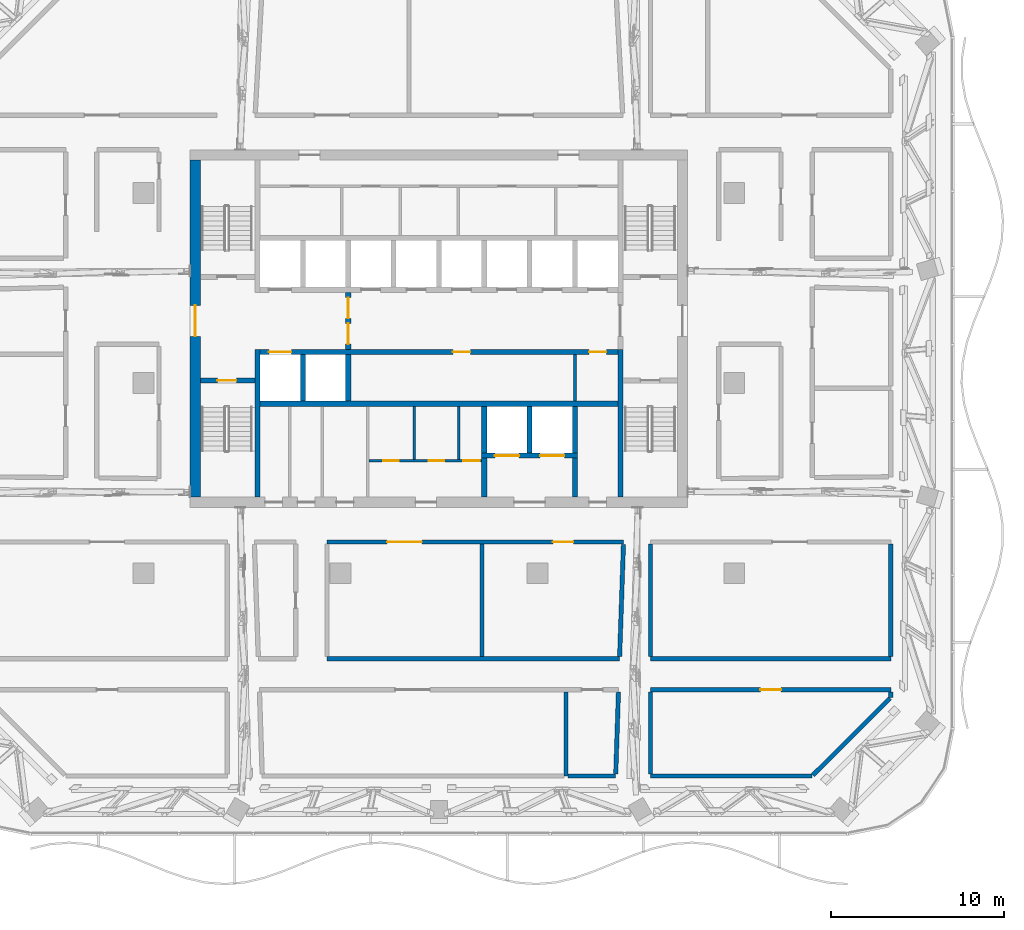
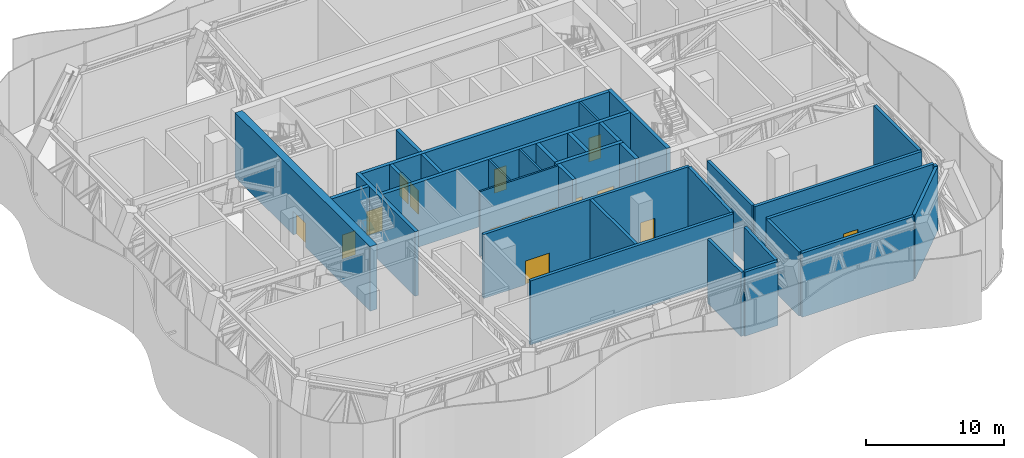
# One storey, part 11 of 29: 34 walls, 15 doors, 15 openings.
"""IFC4 building model written with IfcOpenShell, lengths in metres."""

from ifc_helpers import new_model, si_unit, direction, frame, frame_2d, origin, place, context, subcontext, project, spatial, rectangle, extrude, material, layer, layer_set, type_object, element, fill, save


model = new_model("IFC4")

# Units and contexts
model_context = context("Model", 3, precision=1e-05, world=origin(), true_north=direction((0.0, 1.0)))
body_context = subcontext(model_context, "Body", "Model", "MODEL_VIEW")
ifc_project = project(units=[si_unit("LENGTHUNIT", "METRE"), si_unit("AREAUNIT", "SQUARE_METRE"), si_unit("VOLUMEUNIT", "CUBIC_METRE"), si_unit("PLANEANGLEUNIT", "RADIAN"), si_unit("MASSUNIT", "GRAM", prefix="KILO")], contexts=[model_context])

# Site, building, storey
site_placement = place(None, origin())
site = spatial("IfcSite", under=ifc_project, at=site_placement, CompositionType="ELEMENT")
building_placement = place(site_placement, origin())
building = spatial("IfcBuilding", under=site, at=building_placement, Name="Mopane Tessera Tower", CompositionType="ELEMENT")
storey_placement = place(building_placement, frame((0.0, 0.0, 315.39990234375)))
storey = spatial("IfcBuildingStorey", under=building, at=storey_placement, Name="L69", CompositionType="ELEMENT", Elevation=315.39990234375)

# Wall, openings, doors
ifc_material_1 = material(Name="Fire-rated gypsum board partition")
ifc_layer_1 = layer(ifc_material_1, 0.14990234375)
ifc_layer_set_1 = layer_set([ifc_layer_1], Name="Fire-rated gypsum board partition")
wall_type_1 = type_object("IfcWallType", Name="Core room partition 150 mm", PredefinedType="PARTITIONING", material=ifc_layer_set_1)
wall_1_placement = place(storey_placement, frame((-4.050048828125, -4.5, 0.0), z_axis=(0.0, 0.0, 1.0), x_axis=(1.0, 0.0, 0.0)))
wall_1 = element("IfcWall", 1, at=wall_1_placement, inside=storey, type_object=wall_type_1, Name="L69 WC partition", PredefinedType="PARTITIONING", context=body_context, shape_type="SweptSolid", body=[
    extrude(rectangle(XDim=6.525146484375, YDim=0.14990234375, at=frame_2d((3.2626953125, 0.0))), origin(), (0.0, 0.0, 1.0), 5.7001953125),
])
opening_1_placement = place(wall_1_placement, frame((0.824951171875, 0.0, 0.0)))
opening_1 = element("IfcOpeningElement", 2, at=opening_1_placement, cuts=wall_1, Name="Opening WD1", PredefinedType="OPENING", context=body_context, shape_type="SweptSolid", body=[
    extrude(rectangle(XDim=0.89990234375, YDim=2.10009765625, at=frame_2d((0.449951171875, 1.050048828125))), frame((0.0, 0.0869140625, 0.0), z_axis=(0.0, -1.0, 0.0), x_axis=(1.0, 0.0, 0.0)), (0.0, 0.0, 1.0), 0.173828125),
])
opening_2_placement = place(wall_1_placement, frame((3.45751953125, 0.0, 0.0)))
opening_2 = element("IfcOpeningElement", 3, at=opening_2_placement, cuts=wall_1, Name="Opening WD1", PredefinedType="OPENING", context=body_context, shape_type="SweptSolid", body=[
    extrude(rectangle(XDim=0.89990234375, YDim=2.10009765625, at=frame_2d((0.449951171875, 1.050048828125))), frame((0.0, 0.0869140625, 0.0), z_axis=(0.0, -1.0, 0.0), x_axis=(1.0, 0.0, 0.0)), (0.0, 0.0, 1.0), 0.173828125),
])
opening_3_placement = place(wall_1_placement, frame((5.45751953125, 0.0, 0.0)))
opening_3 = element("IfcOpeningElement", 4, at=opening_3_placement, cuts=wall_1, Name="Opening WD2", PredefinedType="OPENING", context=body_context, shape_type="SweptSolid", body=[
    extrude(rectangle(XDim=0.949951171875, YDim=2.10009765625, at=frame_2d((0.47509765625, 1.050048828125))), frame((0.0, 0.0869140625, 0.0), z_axis=(0.0, -1.0, 0.0), x_axis=(1.0, 0.0, 0.0)), (0.0, 0.0, 1.0), 0.173828125),
])
ifc_material_2 = material(Name="Timber door", Category="wood")
door_type_1 = type_object("IfcDoorType", Name="Accessible WC door 950 x 2100", OperationType="SINGLE_SWING_LEFT", PredefinedType="DOOR", material=ifc_material_2)
door_1_placement = place(opening_3_placement, origin())
door_1 = element("IfcDoor", 5, at=door_1_placement, inside=storey, type_object=door_type_1, Name="L69 Accessible WC door", OperationType="SINGLE_SWING_LEFT", OverallHeight=2.10009765625, OverallWidth=0.949951171875, PredefinedType="DOOR", context=body_context, shape_type="SweptSolid", body=[
    extrude(rectangle(XDim=0.949951171875, YDim=2.10009765625, at=frame_2d((0.47509765625, 1.050048828125))), frame((0.0, 0.02490234375, 0.0), z_axis=(0.0, -1.0, 0.0), x_axis=(1.0, 0.0, 0.0)), (0.0, 0.0, 1.0), 0.050048828125),
])
fill(opening_3, door_1)
ifc_material_3 = material(Name="Timber door", Category="wood")
door_type_2 = type_object("IfcDoorType", Name="WC cubicle door 900 x 2100", OperationType="SINGLE_SWING_LEFT", PredefinedType="DOOR", material=ifc_material_3)
door_2_placement = place(opening_1_placement, origin())
door_2 = element("IfcDoor", 6, at=door_2_placement, inside=storey, type_object=door_type_2, Name="L69 Men's WC door", OperationType="SINGLE_SWING_LEFT", OverallHeight=2.10009765625, OverallWidth=0.89990234375, PredefinedType="DOOR", context=body_context, shape_type="SweptSolid", body=[
    extrude(rectangle(XDim=0.89990234375, YDim=2.10009765625, at=frame_2d((0.449951171875, 1.050048828125))), frame((0.0, 0.02490234375, 0.0), z_axis=(0.0, -1.0, 0.0), x_axis=(1.0, 0.0, 0.0)), (0.0, 0.0, 1.0), 0.050048828125),
])
fill(opening_1, door_2)
door_3_placement = place(opening_2_placement, origin())
door_3 = element("IfcDoor", 7, at=door_3_placement, inside=storey, type_object=door_type_2, Name="L69 Women's WC door", OperationType="SINGLE_SWING_LEFT", OverallHeight=2.10009765625, OverallWidth=0.89990234375, PredefinedType="DOOR", context=body_context, shape_type="SweptSolid", body=[
    extrude(rectangle(XDim=0.89990234375, YDim=2.10009765625, at=frame_2d((0.449951171875, 1.050048828125))), frame((0.0, 0.02490234375, 0.0), z_axis=(0.0, -1.0, 0.0), x_axis=(1.0, 0.0, 0.0)), (0.0, 0.0, 1.0), 0.050048828125),
])
fill(opening_2, door_3)

# Walls
for number, where, z_axis, x_axis, name in (
    (8, (-1.425048828125, -4.425048828125, 0.0), (0.0, 0.0, 1.0), (0.0, 1.0, 0.0), "L69 WC partition"),
    (9, (1.139892578125, -4.425048828125, 0.0), (0.0, 0.0, 1.0), (0.0, 1.0, 0.0), "L69 WC partition"),
):
    element("IfcWall", number, at=place(storey_placement, frame(where, z_axis=z_axis, x_axis=x_axis)), inside=storey, type_object=wall_type_1, Name=name, PredefinedType="PARTITIONING", context=body_context, shape_type="SweptSolid", body=[
        extrude(rectangle(XDim=3.074951171875, YDim=0.14990234375, at=frame_2d((1.53759765625, 0.0))), origin(), (0.0, 0.0, 1.0), 5.7001953125),
    ])
wall_2_placement = place(storey_placement, frame((7.875, -1.050048828125, 0.0), z_axis=(0.0, 0.0, 1.0), x_axis=(0.0, 1.0, 0.0)))
element("IfcWall", 10, at=wall_2_placement, inside=storey, type_object=wall_type_1, Name="L69 Room partition", PredefinedType="PARTITIONING", context=body_context, shape_type="SweptSolid", body=[
    extrude(rectangle(XDim=2.699951171875, YDim=0.14990234375, at=frame_2d((1.35009765625, 0.0))), origin(), (0.0, 0.0, 1.0), 5.7001953125),
])

# Wall, opening, door
ifc_material_4 = material(Name="Concrete C70/85", Category="concrete")
ifc_layer_2 = layer(ifc_material_4, 0.60009765625)
ifc_layer_set_2 = layer_set([ifc_layer_2], Name="Concrete C70/85")
wall_type_2 = type_object("IfcWallType", Name="Core shear wall 600 mm", PredefinedType="SHEAR", material=ifc_layer_set_2)
wall_3_placement = place(storey_placement, frame((-14.10009765625, -6.60009765625, 0.0), z_axis=(0.0, 0.0, 1.0), x_axis=(0.0, 1.0, 0.0)))
wall_3 = element("IfcWall", 11, at=wall_3_placement, inside=storey, type_object=wall_type_2, Name="L69 Core wall west", PredefinedType="SHEAR", context=body_context, shape_type="SweptSolid", body=[
    extrude(rectangle(XDim=19.5, YDim=0.60009765625, at=frame_2d((9.75, 0.0))), origin(), (0.0, 0.0, 1.0), 5.7001953125),
])
opening_4_placement = place(wall_3_placement, frame((9.300048828125, 0.0, 0.0)))
opening_4 = element("IfcOpeningElement", 12, at=opening_4_placement, cuts=wall_3, Name="Opening SD2", PredefinedType="OPENING", context=body_context, shape_type="SweptSolid", body=[
    extrude(rectangle(XDim=1.800048828125, YDim=2.10009765625, at=frame_2d((0.89990234375, 1.050048828125))), frame((0.0, 0.31201171875, 0.0), z_axis=(0.0, -1.0, 0.0), x_axis=(1.0, 0.0, 0.0)), (0.0, 0.0, 1.0), 0.6240234375),
])
ifc_material_5 = material(Name="Steel fire door", Category="steel")
door_type_3 = type_object("IfcDoorType", Name="Core entrance double door 1800 x 2100", OperationType="DOUBLE_DOOR_SINGLE_SWING", PredefinedType="DOOR", material=ifc_material_5)
door_4_placement = place(opening_4_placement, origin())
door_4 = element("IfcDoor", 13, at=door_4_placement, inside=storey, type_object=door_type_3, Name="L69 Core entrance door west", OperationType="DOUBLE_DOOR_SINGLE_SWING", OverallHeight=2.10009765625, OverallWidth=1.800048828125, PredefinedType="DOOR", context=body_context, shape_type="SweptSolid", body=[
    extrude(rectangle(XDim=1.800048828125, YDim=2.10009765625, at=frame_2d((0.89990234375, 1.050048828125))), frame((0.0, 0.02490234375, 0.0), z_axis=(0.0, -1.0, 0.0), x_axis=(1.0, 0.0, 0.0)), (0.0, 0.0, 1.0), 0.050048828125),
])
fill(opening_4, door_4)

# Walls
ifc_material_6 = material(Name="Concrete C60/75", Category="concrete")
ifc_layer_3 = layer(ifc_material_6, 0.300048828125)
ifc_layer_set_3 = layer_set([ifc_layer_3], Name="Concrete C60/75")
wall_type_3 = type_object("IfcWallType", Name="Core spine wall 300 mm", PredefinedType="SHEAR", material=ifc_layer_set_3)
for number, where, z_axis, x_axis, name in (
    (14, (-10.5, -6.60009765625, 0.0), (0.0, 0.0, 1.0), (0.0, 1.0, 0.0), "L69 Core spine wall"),
    (15, (10.5, -6.60009765625, 0.0), (0.0, 0.0, 1.0), (0.0, 1.0, 0.0), "L69 Core spine wall"),
):
    element("IfcWall", number, at=place(storey_placement, frame(where, z_axis=z_axis, x_axis=x_axis)), inside=storey, type_object=wall_type_3, Name=name, PredefinedType="SHEAR", context=body_context, shape_type="SweptSolid", body=[
        extrude(rectangle(XDim=8.550048828125, YDim=0.300048828125, at=frame_2d((4.27490234375, 0.0))), origin(), (0.0, 0.0, 1.0), 5.7001953125),
    ])

# Wall, opening, door
ifc_material_7 = material(Name="Concrete C50/60", Category="concrete")
ifc_layer_4 = layer(ifc_material_7, 0.300048828125)
ifc_layer_set_4 = layer_set([ifc_layer_4], Name="Concrete C50/60")
wall_type_4 = type_object("IfcWallType", Name="Lift and stair shaft wall 300 mm", PredefinedType="SOLIDWALL", material=ifc_layer_set_4)
wall_4_placement = place(storey_placement, frame((-13.800048828125, 0.14990234375, 0.0), z_axis=(0.0, 0.0, 1.0), x_axis=(1.0, 0.0, 0.0)))
wall_4 = element("IfcWall", 16, at=wall_4_placement, inside=storey, type_object=wall_type_4, Name="L69 Stair enclosure wall", PredefinedType="SOLIDWALL", context=body_context, shape_type="SweptSolid", body=[
    extrude(rectangle(XDim=3.150146484375, YDim=0.300048828125, at=frame_2d((1.5751953125, 0.0))), origin(), (0.0, 0.0, 1.0), 5.7001953125),
])
opening_5_placement = place(wall_4_placement, frame((0.97509765625, 0.0, 0.0)))
opening_5 = element("IfcOpeningElement", 17, at=opening_5_placement, cuts=wall_4, Name="Opening SD1", PredefinedType="OPENING", context=body_context, shape_type="SweptSolid", body=[
    extrude(rectangle(XDim=1.10009765625, YDim=2.10009765625, at=frame_2d((0.550048828125, 1.050048828125))), frame((0.0, 0.162109375, 0.0), z_axis=(0.0, -1.0, 0.0), x_axis=(1.0, 0.0, 0.0)), (0.0, 0.0, 1.0), 0.323974609375),
])
ifc_material_8 = material(Name="Steel fire door", Category="steel")
door_type_4 = type_object("IfcDoorType", Name="Stair fire door 1100 x 2100", OperationType="SINGLE_SWING_LEFT", PredefinedType="DOOR", material=ifc_material_8)
door_5_placement = place(opening_5_placement, origin())
door_5 = element("IfcDoor", 18, at=door_5_placement, inside=storey, type_object=door_type_4, Name="L69 Stair door ST1", OperationType="SINGLE_SWING_LEFT", OverallHeight=2.10009765625, OverallWidth=1.10009765625, PredefinedType="DOOR", context=body_context, shape_type="SweptSolid", body=[
    extrude(rectangle(XDim=1.10009765625, YDim=2.10009765625, at=frame_2d((0.550048828125, 1.050048828125))), frame((0.0, 0.02490234375, 0.0), z_axis=(0.0, -1.0, 0.0), x_axis=(1.0, 0.0, 0.0)), (0.0, 0.0, 1.0), 0.050048828125),
])
fill(opening_5, door_5)

# Wall
wall_5_placement = place(storey_placement, frame((-10.35009765625, -1.199951171875, 0.0), z_axis=(0.0, 0.0, 1.0), x_axis=(1.0, 0.0, 0.0)))
element("IfcWall", 19, at=wall_5_placement, inside=storey, type_object=wall_type_4, Name="L69 Lift shaft rear wall", PredefinedType="SOLIDWALL", context=body_context, shape_type="SweptSolid", body=[
    extrude(rectangle(XDim=20.7001953125, YDim=0.300048828125, at=frame_2d((10.35009765625, 0.0))), origin(), (0.0, 0.0, 1.0), 5.7001953125),
])

# Wall, openings, doors
wall_6_placement = place(storey_placement, frame((-10.35009765625, 1.800048828125, 0.0), z_axis=(0.0, 0.0, 1.0), x_axis=(1.0, 0.0, 0.0)))
wall_6 = element("IfcWall", 20, at=wall_6_placement, inside=storey, type_object=wall_type_4, Name="L69 Lift shaft front wall", PredefinedType="SOLIDWALL", context=body_context, shape_type="SweptSolid", body=[
    extrude(rectangle(XDim=20.7001953125, YDim=0.300048828125, at=frame_2d((10.35009765625, 0.0))), origin(), (0.0, 0.0, 1.0), 5.7001953125),
])
opening_6_placement = place(wall_6_placement, frame((0.512451171875, 0.0, 0.0)))
opening_6 = element("IfcOpeningElement", 21, at=opening_6_placement, cuts=wall_6, Name="Opening LD2", PredefinedType="OPENING", context=body_context, shape_type="SweptSolid", body=[
    extrude(rectangle(XDim=1.300048828125, YDim=2.10009765625, at=frame_2d((0.64990234375, 1.050048828125))), frame((0.0, 0.162109375, 0.0), z_axis=(0.0, -1.0, 0.0), x_axis=(1.0, 0.0, 0.0)), (0.0, 0.0, 1.0), 0.323974609375),
])
opening_7_placement = place(wall_6_placement, frame((11.16259765625, 0.0, 0.0)))
opening_7 = element("IfcOpeningElement", 22, at=opening_7_placement, cuts=wall_6, Name="Opening RD1", PredefinedType="OPENING", context=body_context, shape_type="SweptSolid", body=[
    extrude(rectangle(XDim=1.0, YDim=2.10009765625, at=frame_2d((0.5, 1.050048828125))), frame((0.0, 0.162109375, 0.0), z_axis=(0.0, -1.0, 0.0), x_axis=(1.0, 0.0, 0.0)), (0.0, 0.0, 1.0), 0.323974609375),
])
opening_8_placement = place(wall_6_placement, frame((19.03759765625, 0.0, 0.0)))
opening_8 = element("IfcOpeningElement", 23, at=opening_8_placement, cuts=wall_6, Name="Opening RD1", PredefinedType="OPENING", context=body_context, shape_type="SweptSolid", body=[
    extrude(rectangle(XDim=1.0, YDim=2.10009765625, at=frame_2d((0.5, 1.050048828125))), frame((0.0, 0.162109375, 0.0), z_axis=(0.0, -1.0, 0.0), x_axis=(1.0, 0.0, 0.0)), (0.0, 0.0, 1.0), 0.323974609375),
])
ifc_material_9 = material(Name="Timber door", Category="wood")
door_type_5 = type_object("IfcDoorType", Name="Core room door 1000 x 2100", OperationType="SINGLE_SWING_LEFT", PredefinedType="DOOR", material=ifc_material_9)
door_6_placement = place(opening_7_placement, origin())
door_6 = element("IfcDoor", 24, at=door_6_placement, inside=storey, type_object=door_type_5, Name="L69 Room door", OperationType="SINGLE_SWING_LEFT", OverallHeight=2.10009765625, OverallWidth=1.0, PredefinedType="DOOR", context=body_context, shape_type="SweptSolid", body=[
    extrude(rectangle(XDim=1.0, YDim=2.10009765625, at=frame_2d((0.5, 1.050048828125))), frame((0.0, 0.02490234375, 0.0), z_axis=(0.0, -1.0, 0.0), x_axis=(1.0, 0.0, 0.0)), (0.0, 0.0, 1.0), 0.050048828125),
])
fill(opening_7, door_6)
door_7_placement = place(opening_8_placement, origin())
door_7 = element("IfcDoor", 25, at=door_7_placement, inside=storey, type_object=door_type_5, Name="L69 Room door", OperationType="SINGLE_SWING_LEFT", OverallHeight=2.10009765625, OverallWidth=1.0, PredefinedType="DOOR", context=body_context, shape_type="SweptSolid", body=[
    extrude(rectangle(XDim=1.0, YDim=2.10009765625, at=frame_2d((0.5, 1.050048828125))), frame((0.0, 0.02490234375, 0.0), z_axis=(0.0, -1.0, 0.0), x_axis=(1.0, 0.0, 0.0)), (0.0, 0.0, 1.0), 0.050048828125),
])
fill(opening_8, door_7)
ifc_material_10 = material(Name="Stainless steel sliding door", Category="steel")
door_type_6 = type_object("IfcDoorType", Name="Fire-fighting lift landing door 1300 x 2100", OperationType="DOUBLE_DOOR_SLIDING", PredefinedType="DOOR", material=ifc_material_10)
door_8_placement = place(opening_6_placement, origin())
door_8 = element("IfcDoor", 26, at=door_8_placement, inside=storey, type_object=door_type_6, Name="L69 Lift landing door FF1", OperationType="DOUBLE_DOOR_SLIDING", OverallHeight=2.10009765625, OverallWidth=1.300048828125, PredefinedType="DOOR", context=body_context, shape_type="SweptSolid", body=[
    extrude(rectangle(XDim=1.300048828125, YDim=2.10009765625, at=frame_2d((0.64990234375, 1.050048828125))), frame((0.0, 0.02490234375, 0.0), z_axis=(0.0, -1.0, 0.0), x_axis=(1.0, 0.0, 0.0)), (0.0, 0.0, 1.0), 0.050048828125),
])
fill(opening_6, door_8)

# Walls
for number, where, z_axis, x_axis, name in (
    (27, (-7.875, -1.050048828125, 0.0), (0.0, 0.0, 1.0), (0.0, 1.0, 0.0), "L69 Lift shaft wall"),
    (28, (-5.25, -1.050048828125, 0.0), (0.0, 0.0, 1.0), (0.0, 1.0, 0.0), "L69 Lift shaft wall"),
):
    element("IfcWall", number, at=place(storey_placement, frame(where, z_axis=z_axis, x_axis=x_axis)), inside=storey, type_object=wall_type_4, Name=name, PredefinedType="SOLIDWALL", context=body_context, shape_type="SweptSolid", body=[
        extrude(rectangle(XDim=2.699951171875, YDim=0.300048828125, at=frame_2d((1.35009765625, 0.0))), origin(), (0.0, 0.0, 1.0), 5.7001953125),
    ])

# Wall, openings, doors
wall_7_placement = place(storey_placement, frame((2.47509765625, -4.199951171875, 0.0), z_axis=(0.0, 0.0, 1.0), x_axis=(1.0, 0.0, 0.0)))
wall_7 = element("IfcWall", 29, at=wall_7_placement, inside=storey, type_object=wall_type_4, Name="L69 Lift shaft front wall", PredefinedType="SOLIDWALL", context=body_context, shape_type="SweptSolid", body=[
    extrude(rectangle(XDim=5.5498046875, YDim=0.300048828125, at=frame_2d((2.77490234375, 0.0))), origin(), (0.0, 0.0, 1.0), 5.7001953125),
])
opening_9_placement = place(wall_7_placement, frame((0.762451171875, 0.0, 0.0)))
opening_9 = element("IfcOpeningElement", 30, at=opening_9_placement, cuts=wall_7, Name="Opening LD3", PredefinedType="OPENING", context=body_context, shape_type="SweptSolid", body=[
    extrude(rectangle(XDim=1.39990234375, YDim=2.10009765625, at=frame_2d((0.699951171875, 1.050048828125))), frame((0.0, 0.162109375, 0.0), z_axis=(0.0, -1.0, 0.0), x_axis=(1.0, 0.0, 0.0)), (0.0, 0.0, 1.0), 0.323974609375),
])
opening_10_placement = place(wall_7_placement, frame((3.387451171875, 0.0, 0.0)))
opening_10 = element("IfcOpeningElement", 31, at=opening_10_placement, cuts=wall_7, Name="Opening LD3", PredefinedType="OPENING", context=body_context, shape_type="SweptSolid", body=[
    extrude(rectangle(XDim=1.39990234375, YDim=2.10009765625, at=frame_2d((0.699951171875, 1.050048828125))), frame((0.0, 0.162109375, 0.0), z_axis=(0.0, -1.0, 0.0), x_axis=(1.0, 0.0, 0.0)), (0.0, 0.0, 1.0), 0.323974609375),
])
ifc_material_11 = material(Name="Stainless steel sliding door", Category="steel")
door_type_7 = type_object("IfcDoorType", Name="Service lift landing door 1400 x 2100", OperationType="DOUBLE_DOOR_SLIDING", PredefinedType="DOOR", material=ifc_material_11)
door_9_placement = place(opening_9_placement, origin())
door_9 = element("IfcDoor", 32, at=door_9_placement, inside=storey, type_object=door_type_7, Name="L69 Lift landing door SV1", OperationType="DOUBLE_DOOR_SLIDING", OverallHeight=2.10009765625, OverallWidth=1.39990234375, PredefinedType="DOOR", context=body_context, shape_type="SweptSolid", body=[
    extrude(rectangle(XDim=1.39990234375, YDim=2.10009765625, at=frame_2d((0.699951171875, 1.050048828125))), frame((0.0, 0.02490234375, 0.0), z_axis=(0.0, -1.0, 0.0), x_axis=(1.0, 0.0, 0.0)), (0.0, 0.0, 1.0), 0.050048828125),
])
fill(opening_9, door_9)
door_10_placement = place(opening_10_placement, origin())
door_10 = element("IfcDoor", 33, at=door_10_placement, inside=storey, type_object=door_type_7, Name="L69 Lift landing door SV2", OperationType="DOUBLE_DOOR_SLIDING", OverallHeight=2.10009765625, OverallWidth=1.39990234375, PredefinedType="DOOR", context=body_context, shape_type="SweptSolid", body=[
    extrude(rectangle(XDim=1.39990234375, YDim=2.10009765625, at=frame_2d((0.699951171875, 1.050048828125))), frame((0.0, 0.02490234375, 0.0), z_axis=(0.0, -1.0, 0.0), x_axis=(1.0, 0.0, 0.0)), (0.0, 0.0, 1.0), 0.050048828125),
])
fill(opening_10, door_10)

# Walls
for number, where, z_axis, x_axis, name in (
    (34, (2.625, -4.050048828125, 0.0), (0.0, 0.0, 1.0), (0.0, 1.0, 0.0), "L69 Lift shaft wall"),
    (35, (5.25, -4.050048828125, 0.0), (0.0, 0.0, 1.0), (0.0, 1.0, 0.0), "L69 Lift shaft wall"),
    (36, (7.875, -4.050048828125, 0.0), (0.0, 0.0, 1.0), (0.0, 1.0, 0.0), "L69 Lift shaft wall"),
):
    element("IfcWall", number, at=place(storey_placement, frame(where, z_axis=z_axis, x_axis=x_axis)), inside=storey, type_object=wall_type_4, Name=name, PredefinedType="SOLIDWALL", context=body_context, shape_type="SweptSolid", body=[
        extrude(rectangle(XDim=2.699951171875, YDim=0.300048828125, at=frame_2d((1.35009765625, 0.0))), origin(), (0.0, 0.0, 1.0), 5.7001953125),
    ])

# Wall, openings, doors
ifc_material_12 = material(Name="Concrete C50/60", Category="concrete")
ifc_layer_5 = layer(ifc_material_12, 0.300048828125)
ifc_layer_set_5 = layer_set([ifc_layer_5], Name="Concrete C50/60")
wall_type_5 = type_object("IfcWallType", Name="Lobby and refuge room wall 300 mm", PredefinedType="SOLIDWALL", material=ifc_layer_set_5)
wall_8_placement = place(storey_placement, frame((-5.25, 1.949951171875, 0.0), z_axis=(0.0, 0.0, 1.0), x_axis=(0.0, 1.0, 0.0)))
wall_8 = element("IfcWall", 37, at=wall_8_placement, inside=storey, type_object=wall_type_5, Name="L69 Fire-fighting lobby wall", PredefinedType="SOLIDWALL", context=body_context, shape_type="SweptSolid", body=[
    extrude(rectangle(XDim=3.300048828125, YDim=0.300048828125, at=frame_2d((1.64990234375, 0.0))), origin(), (0.0, 0.0, 1.0), 5.7001953125),
])
opening_11_placement = place(wall_8_placement, frame((0.300048828125, 0.0, 0.0)))
opening_11 = element("IfcOpeningElement", 38, at=opening_11_placement, cuts=wall_8, Name="Opening SD3", PredefinedType="OPENING", context=body_context, shape_type="SweptSolid", body=[
    extrude(rectangle(XDim=1.199951171875, YDim=2.10009765625, at=frame_2d((0.60009765625, 1.050048828125))), frame((0.0, 0.162109375, 0.0), z_axis=(0.0, -1.0, 0.0), x_axis=(1.0, 0.0, 0.0)), (0.0, 0.0, 1.0), 0.323974609375),
])
opening_12_placement = place(wall_8_placement, frame((1.800048828125, 0.0, 0.0)))
opening_12 = element("IfcOpeningElement", 39, at=opening_12_placement, cuts=wall_8, Name="Opening SD3", PredefinedType="OPENING", context=body_context, shape_type="SweptSolid", body=[
    extrude(rectangle(XDim=1.199951171875, YDim=2.10009765625, at=frame_2d((0.60009765625, 1.050048828125))), frame((0.0, 0.162109375, 0.0), z_axis=(0.0, -1.0, 0.0), x_axis=(1.0, 0.0, 0.0)), (0.0, 0.0, 1.0), 0.323974609375),
])
ifc_material_13 = material(Name="Steel fire door", Category="steel")
door_type_8 = type_object("IfcDoorType", Name="Lobby fire door 1200 x 2100", OperationType="SINGLE_SWING_LEFT", PredefinedType="DOOR", material=ifc_material_13)
door_11_placement = place(opening_11_placement, origin())
door_11 = element("IfcDoor", 40, at=door_11_placement, inside=storey, type_object=door_type_8, Name="L69 Fire-fighting lobby door", OperationType="SINGLE_SWING_LEFT", OverallHeight=2.10009765625, OverallWidth=1.199951171875, PredefinedType="DOOR", context=body_context, shape_type="SweptSolid", body=[
    extrude(rectangle(XDim=1.199951171875, YDim=2.10009765625, at=frame_2d((0.60009765625, 1.050048828125))), frame((0.0, 0.02490234375, 0.0), z_axis=(0.0, -1.0, 0.0), x_axis=(1.0, 0.0, 0.0)), (0.0, 0.0, 1.0), 0.050048828125),
])
fill(opening_11, door_11)
door_12_placement = place(opening_12_placement, origin())
door_12 = element("IfcDoor", 41, at=door_12_placement, inside=storey, type_object=door_type_8, Name="L69 Fire-fighting lobby door", OperationType="SINGLE_SWING_RIGHT", OverallHeight=2.10009765625, OverallWidth=1.199951171875, PredefinedType="DOOR", context=body_context, shape_type="SweptSolid", body=[
    extrude(rectangle(XDim=1.199951171875, YDim=2.10009765625, at=frame_2d((0.60009765625, 1.050048828125))), frame((0.0, 0.02490234375, 0.0), z_axis=(0.0, -1.0, 0.0), x_axis=(1.0, 0.0, 0.0)), (0.0, 0.0, 1.0), 0.050048828125),
])
fill(opening_12, door_12)

# Walls
for number, where, z_axis, x_axis, name in (
    (42, (2.625, -6.60009765625, 0.0), (0.0, 0.0, 1.0), (0.0, 1.0, 0.0), "L69 Service lobby wall"),
    (43, (7.875, -6.60009765625, 0.0), (0.0, 0.0, 1.0), (0.0, 1.0, 0.0), "L69 Service lobby wall"),
):
    element("IfcWall", number, at=place(storey_placement, frame(where, z_axis=z_axis, x_axis=x_axis)), inside=storey, type_object=wall_type_5, Name=name, PredefinedType="SOLIDWALL", context=body_context, shape_type="SweptSolid", body=[
        extrude(rectangle(XDim=2.25, YDim=0.300048828125, at=frame_2d((1.125, 0.0))), origin(), (0.0, 0.0, 1.0), 5.7001953125),
    ])
ifc_material_14 = material(Name="Plastered concrete blockwork C20/25", Category="masonry")
ifc_layer_6 = layer(ifc_material_14, 0.25)
ifc_layer_set_6 = layer_set([ifc_layer_6], Name="Plastered concrete blockwork C20/25")
wall_type_6 = type_object("IfcWallType", Name="Plastered blockwork wall 250, rated EI 120", PredefinedType="PARTITIONING", material=ifc_layer_set_6)
wall_9_placement = place(storey_placement, frame((7.47509765625, -22.7451171875, 0.0), z_axis=(0.0, 0.0, 1.0), x_axis=(1.0, 0.0, 0.0)))
element("IfcWall", 44, at=wall_9_placement, inside=storey, type_object=wall_type_6, Name="Partition L69:002", PredefinedType="PARTITIONING", context=body_context, shape_type="SweptSolid", body=[
    extrude(rectangle(XDim=2.7548828125, YDim=0.25, at=frame_2d((1.37744140625, 0.0))), origin(), (0.0, 0.0, 1.0), 5.650146484375),
])
wall_10_placement = place(storey_placement, frame((12.25, -22.7451171875, 0.0), z_axis=(0.0, 0.0, 1.0), x_axis=(1.0, 0.0, 0.0)))
element("IfcWall", 45, at=wall_10_placement, inside=storey, type_object=wall_type_6, Name="Partition L69:003", PredefinedType="PARTITIONING", context=body_context, shape_type="SweptSolid", body=[
    extrude(rectangle(XDim=9.344970703125, YDim=0.25, at=frame_2d((4.67236328125, 0.0))), origin(), (0.0, 0.0, 1.0), 5.650146484375),
])

# Wall, opening, door
wall_11_placement = place(storey_placement, frame((12.25, -17.75, 0.0), z_axis=(0.0, 0.0, 1.0), x_axis=(1.0, 0.0, 0.0)))
wall_11 = element("IfcWall", 46, at=wall_11_placement, inside=storey, type_object=wall_type_6, Name="Partition L69:006", PredefinedType="PARTITIONING", context=body_context, shape_type="SweptSolid", body=[
    extrude(rectangle(XDim=13.909912109375, YDim=0.25, at=frame_2d((6.955078125, 0.0))), origin(), (0.0, 0.0, 1.0), 5.650146484375),
])
opening_13_placement = place(wall_11_placement, frame((6.35498046875, 0.0, 0.0)))
opening_13 = element("IfcOpeningElement", 47, at=opening_13_placement, cuts=wall_11, Name="Opening L69-04", PredefinedType="OPENING", context=body_context, shape_type="SweptSolid", body=[
    extrude(rectangle(XDim=1.199951171875, YDim=2.10009765625, at=frame_2d((0.60009765625, 1.050048828125))), frame((0.0, 0.136962890625, 0.0), z_axis=(0.0, -1.0, 0.0), x_axis=(1.0, 0.0, 0.0)), (0.0, 0.0, 1.0), 0.27392578125),
])
ifc_material_15 = material(Name="Timber veneered steel-framed fire door", Category="steel")
door_type_9 = type_object("IfcDoorType", Name="Fire door FD120 1200 x 2100", OperationType="SINGLE_SWING_LEFT", PredefinedType="DOOR", material=ifc_material_15)
door_13_placement = place(opening_13_placement, origin())
door_13 = element("IfcDoor", 48, at=door_13_placement, inside=storey, type_object=door_type_9, Name="Door L69-04", ObjectType="D15B", OperationType="SINGLE_SWING_LEFT", OverallHeight=2.10009765625, OverallWidth=1.199951171875, PredefinedType="DOOR", context=body_context, shape_type="SweptSolid", body=[
    extrude(rectangle(XDim=1.199951171875, YDim=2.10009765625, at=frame_2d((0.60009765625, 1.050048828125))), frame((0.0, 0.02490234375, 0.0), z_axis=(0.0, -1.0, 0.0), x_axis=(1.0, 0.0, 0.0)), (0.0, 0.0, 1.0), 0.050048828125),
])
fill(opening_13, door_13)

# Walls
wall_12_placement = place(storey_placement, frame((-6.47998046875, -15.949951171875, 0.0), z_axis=(0.0, 0.0, 1.0), x_axis=(1.0, 0.0, 0.0)))
element("IfcWall", 49, at=wall_12_placement, inside=storey, type_object=wall_type_6, Name="Partition L69:009", PredefinedType="PARTITIONING", context=body_context, shape_type="SweptSolid", body=[
    extrude(rectangle(XDim=16.93505859375, YDim=0.25, at=frame_2d((8.467529296875, 0.0))), origin(), (0.0, 0.0, 1.0), 5.650146484375),
])
wall_13_placement = place(storey_placement, frame((12.25, -15.949951171875, 0.0), z_axis=(0.0, 0.0, 1.0), x_axis=(1.0, 0.0, 0.0)))
element("IfcWall", 50, at=wall_13_placement, inside=storey, type_object=wall_type_6, Name="Partition L69:010", PredefinedType="PARTITIONING", context=body_context, shape_type="SweptSolid", body=[
    extrude(rectangle(XDim=13.909912109375, YDim=0.25, at=frame_2d((6.955078125, 0.0))), origin(), (0.0, 0.0, 1.0), 5.650146484375),
])

# Wall, openings, doors
wall_14_placement = place(storey_placement, frame((-6.47998046875, -9.199951171875, 0.0), z_axis=(0.0, 0.0, 1.0), x_axis=(1.0, 0.0, 0.0)))
wall_14 = element("IfcWall", 51, at=wall_14_placement, inside=storey, type_object=wall_type_6, Name="Partition L69:013", PredefinedType="PARTITIONING", context=body_context, shape_type="SweptSolid", body=[
    extrude(rectangle(XDim=17.1650390625, YDim=0.25, at=frame_2d((8.58251953125, 0.0))), origin(), (0.0, 0.0, 1.0), 5.650146484375),
])
opening_14_placement = place(wall_14_placement, frame((3.485107421875, 0.0, 0.0)))
opening_14 = element("IfcOpeningElement", 52, at=opening_14_placement, cuts=wall_14, Name="Opening L69-13", PredefinedType="OPENING", context=body_context, shape_type="SweptSolid", body=[
    extrude(rectangle(XDim=2.0, YDim=2.10009765625, at=frame_2d((1.0, 1.050048828125))), frame((0.0, 0.136962890625, 0.0), z_axis=(0.0, -1.0, 0.0), x_axis=(1.0, 0.0, 0.0)), (0.0, 0.0, 1.0), 0.27392578125),
])
opening_15_placement = place(wall_14_placement, frame((13.0673828125, 0.0, 0.0)))
opening_15 = element("IfcOpeningElement", 53, at=opening_15_placement, cuts=wall_14, Name="Opening L69-19", PredefinedType="OPENING", context=body_context, shape_type="SweptSolid", body=[
    extrude(rectangle(XDim=1.199951171875, YDim=2.10009765625, at=frame_2d((0.60009765625, 1.050048828125))), frame((0.0, 0.136962890625, 0.0), z_axis=(0.0, -1.0, 0.0), x_axis=(1.0, 0.0, 0.0)), (0.0, 0.0, 1.0), 0.27392578125),
])
door_14_placement = place(opening_15_placement, origin())
door_14 = element("IfcDoor", 54, at=door_14_placement, inside=storey, type_object=door_type_9, Name="Door L69-19", ObjectType="D15B", OperationType="SINGLE_SWING_RIGHT", OverallHeight=2.10009765625, OverallWidth=1.199951171875, PredefinedType="DOOR", context=body_context, shape_type="SweptSolid", body=[
    extrude(rectangle(XDim=1.199951171875, YDim=2.10009765625, at=frame_2d((0.60009765625, 1.050048828125))), frame((0.0, 0.02490234375, 0.0), z_axis=(0.0, -1.0, 0.0), x_axis=(1.0, 0.0, 0.0)), (0.0, 0.0, 1.0), 0.050048828125),
])
fill(opening_15, door_14)
ifc_material_16 = material(Name="Timber veneered steel-framed fire door", Category="steel")
door_type_10 = type_object("IfcDoorType", Name="Fire door pair FD120 2000 x 2100", OperationType="DOUBLE_DOOR_SINGLE_SWING", PredefinedType="DOOR", material=ifc_material_16)
door_15_placement = place(opening_14_placement, origin())
door_15 = element("IfcDoor", 55, at=door_15_placement, inside=storey, type_object=door_type_10, Name="Door L69-13", ObjectType="D25B", OperationType="DOUBLE_DOOR_SINGLE_SWING", OverallHeight=2.10009765625, OverallWidth=2.0, PredefinedType="DOOR", context=body_context, shape_type="SweptSolid", body=[
    extrude(rectangle(XDim=2.0, YDim=2.10009765625, at=frame_2d((1.0, 1.050048828125))), frame((0.0, 0.02490234375, 0.0), z_axis=(0.0, -1.0, 0.0), x_axis=(1.0, 0.0, 0.0)), (0.0, 0.0, 1.0), 0.050048828125),
])
fill(opening_14, door_15)

# Walls
wall_15_placement = place(storey_placement, frame((2.489990234375, -15.824951171875, 0.0), z_axis=(0.0, 0.0, 1.0), x_axis=(0.0, 1.0, 0.0)))
element("IfcWall", 56, at=wall_15_placement, inside=storey, type_object=wall_type_6, Name="Partition L69:050", PredefinedType="PARTITIONING", context=body_context, shape_type="SweptSolid", body=[
    extrude(rectangle(XDim=6.5, YDim=0.25, at=frame_2d((3.25, 0.0))), origin(), (0.0, 0.0, 1.0), 5.650146484375),
])
wall_16_placement = place(storey_placement, frame((7.35009765625, -22.7451171875, 0.0), z_axis=(0.0, 0.0, 1.0), x_axis=(0.0, 1.0, 0.0)))
element("IfcWall", 57, at=wall_16_placement, inside=storey, type_object=wall_type_6, Name="Partition L69:051", PredefinedType="PARTITIONING", context=body_context, shape_type="SweptSolid", body=[
    extrude(rectangle(XDim=4.8701171875, YDim=0.25, at=frame_2d((2.43505859375, 0.0))), origin(), (0.0, 0.0, 1.0), 5.650146484375),
])
wall_17_placement = place(storey_placement, frame((12.25, -22.6201171875, 0.0), z_axis=(0.0, 0.0, 1.0), x_axis=(0.0, 1.0, 0.0)))
element("IfcWall", 58, at=wall_17_placement, inside=storey, type_object=wall_type_6, Name="Partition L69:052", PredefinedType="PARTITIONING", context=body_context, shape_type="SweptSolid", body=[
    extrude(rectangle(XDim=4.7451171875, YDim=0.25, at=frame_2d((2.37255859375, 0.0))), origin(), (0.0, 0.0, 1.0), 5.650146484375),
])
wall_18_placement = place(storey_placement, frame((12.25, -15.824951171875, 0.0), z_axis=(0.0, 0.0, 1.0), x_axis=(0.0, 1.0, 0.0)))
element("IfcWall", 59, at=wall_18_placement, inside=storey, type_object=wall_type_6, Name="Partition L69:053", PredefinedType="PARTITIONING", context=body_context, shape_type="SweptSolid", body=[
    extrude(rectangle(XDim=6.5, YDim=0.25, at=frame_2d((3.25, 0.0))), origin(), (0.0, 0.0, 1.0), 5.650146484375),
])
wall_19_placement = place(storey_placement, frame((26.159912109375, -18.18505859375, 0.0), z_axis=(0.0, 0.0, 1.0), x_axis=(0.0, 1.0, 0.0)))
element("IfcWall", 60, at=wall_19_placement, inside=storey, type_object=wall_type_6, Name="Partition L69:062", PredefinedType="PARTITIONING", context=body_context, shape_type="SweptSolid", body=[
    extrude(rectangle(XDim=0.31005859375, YDim=0.25, at=frame_2d((0.155029296875, 0.0))), origin(), (0.0, 0.0, 1.0), 5.650146484375),
])
wall_20_placement = place(storey_placement, frame((26.159912109375, -15.824951171875, 0.0), z_axis=(0.0, 0.0, 1.0), x_axis=(0.0, 1.0, 0.0)))
element("IfcWall", 61, at=wall_20_placement, inside=storey, type_object=wall_type_6, Name="Partition L69:063", PredefinedType="PARTITIONING", context=body_context, shape_type="SweptSolid", body=[
    extrude(rectangle(XDim=6.5, YDim=0.25, at=frame_2d((3.25, 0.0))), origin(), (0.0, 0.0, 1.0), 5.650146484375),
])
wall_21_placement = place(storey_placement, frame((10.39111328125, -17.8798828125, 0.0), z_axis=(0.0, 0.0, 1.0), x_axis=(-0.033186144738, -0.999449188202, 0.0)))
element("IfcWall", 62, at=wall_21_placement, inside=storey, type_object=wall_type_6, Name="Partition L69:069", PredefinedType="PARTITIONING", context=body_context, shape_type="SweptSolid", body=[
    extrude(rectangle(XDim=4.73779296875, YDim=0.25, at=frame_2d((2.368896484375, 0.0))), origin(), (0.0, 0.0, 1.0), 5.650146484375),
])
wall_22_placement = place(storey_placement, frame((26.10302734375, -18.241943359375, 0.0), z_axis=(0.0, 0.0, 1.0), x_axis=(-0.707494747071, -0.706718602321, 0.0)))
element("IfcWall", 63, at=wall_22_placement, inside=storey, type_object=wall_type_6, Name="Partition L69:070", PredefinedType="PARTITIONING", context=body_context, shape_type="SweptSolid", body=[
    extrude(rectangle(XDim=6.291015625, YDim=0.25, at=frame_2d((3.1455078125, 0.0))), origin(), (0.0, 0.0, 1.0), 5.650146484375),
])
wall_23_placement = place(storey_placement, frame((10.680908203125, -9.330078125, 0.0), z_axis=(0.0, 0.0, 1.0), x_axis=(-0.034174811959, -0.99941587051, 0.0)))
element("IfcWall", 64, at=wall_23_placement, inside=storey, type_object=wall_type_6, Name="Partition L69:081", PredefinedType="PARTITIONING", context=body_context, shape_type="SweptSolid", body=[
    extrude(rectangle(XDim=6.493896484375, YDim=0.25, at=frame_2d((3.2470703125, 0.0))), origin(), (0.0, 0.0, 1.0), 5.650146484375),
])

save(model, "model.ifc")
